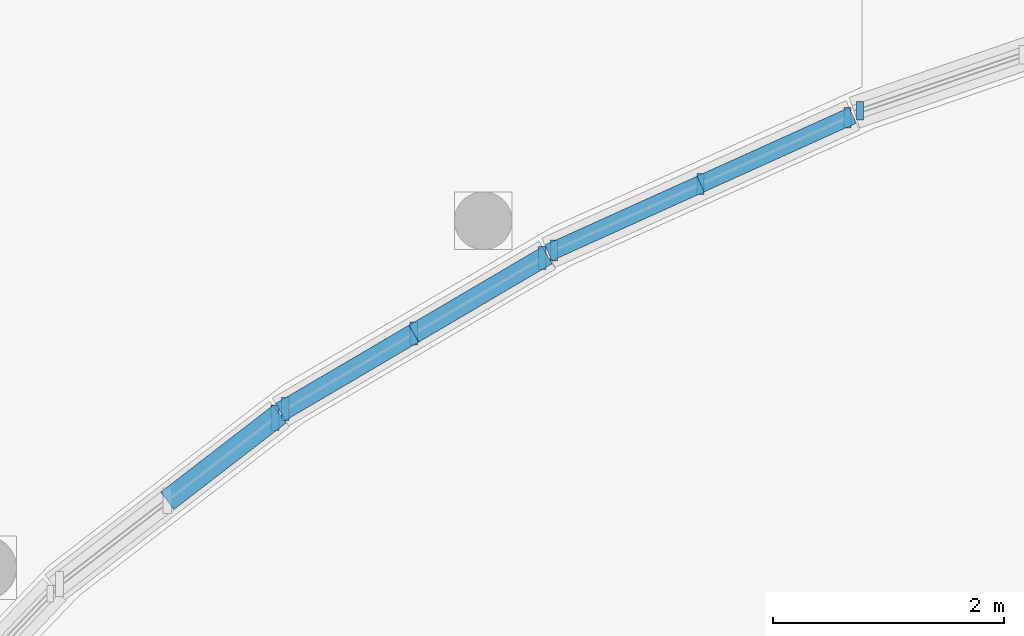
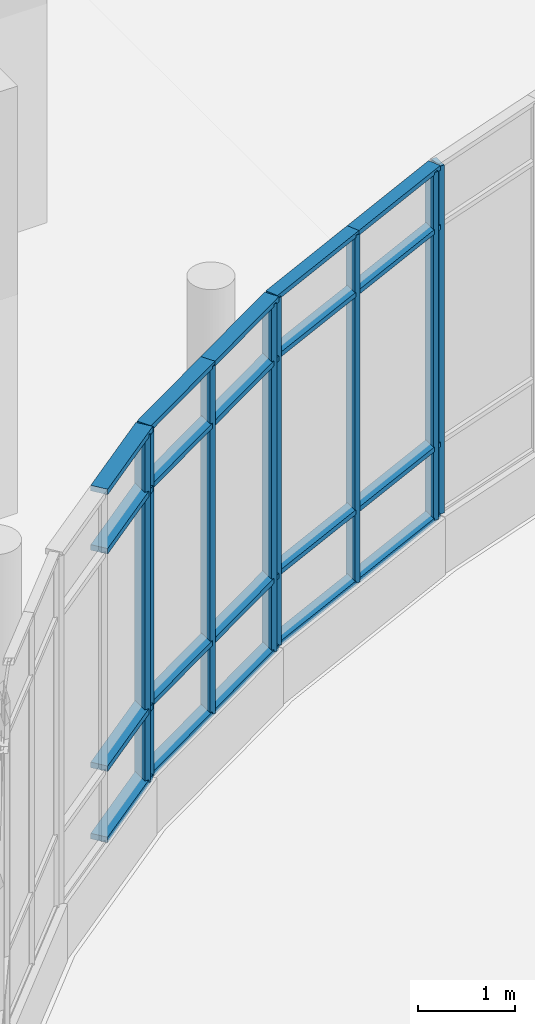
# One storey, part 20 of 84: 28 members, 4 elements without a shape of their own.
"""IFC4 building model written with IfcOpenShell, lengths in metres."""

from ifc_helpers import new_model, si_unit, direction, frame, origin, origin_2d, place, context, subcontext, project, spatial, rectangle, extrude, material, material_profile, profile_set, type_object, element, aggregate, save


model = new_model("IFC4")

# Units and contexts
model_context = context("Model", 3, precision=1e-05, world=origin(), true_north=direction((0.0, 1.0)))
body_context = subcontext(model_context, "Body", "Model", "MODEL_VIEW")
ifc_project = project(units=[si_unit("LENGTHUNIT", "METRE"), si_unit("AREAUNIT", "SQUARE_METRE"), si_unit("VOLUMEUNIT", "CUBIC_METRE"), si_unit("PLANEANGLEUNIT", "RADIAN"), si_unit("MASSUNIT", "GRAM", prefix="KILO")], contexts=[model_context])

# Site, building, storey
site_placement = place(None, origin())
site = spatial("IfcSite", under=ifc_project, at=site_placement, CompositionType="ELEMENT")
building_placement = place(site_placement, origin())
building = spatial("IfcBuilding", under=site, at=building_placement, Name="Mzevani Central Library", CompositionType="ELEMENT")
storey_placement = place(building_placement, origin())
storey = spatial("IfcBuildingStorey", under=building, at=storey_placement, Name="L00", CompositionType="ELEMENT", Elevation=0.0)

# Curtain wall, member
ifc_material_1 = material(Name="Thermally broken aluminium and Low-E triple glazing", Category="aluminium")
curtain_wall_type_1 = type_object("IfcCurtainWallType", Name="Elliptical Court Unitised Curtain Wall", PredefinedType="NOTDEFINED", material=ifc_material_1)
curtain_wall_1_placement = place(storey_placement, origin())
curtain_wall_1 = element("IfcCurtainWall", 1, at=curtain_wall_1_placement, inside=storey, type_object=curtain_wall_type_1, Name="L00 Elliptical Court Curtain Wall 17", PredefinedType="NOTDEFINED")
ifc_material_2 = material(Name="Thermally broken aluminium AW-6060", Category="aluminium")
ifc_material_profile_1 = material_profile(ifc_material_2, rectangle(XDim=0.06005859375, YDim=0.159912109375, at=origin_2d()), Name="ALU M60x160")
ifc_profile_set_1 = profile_set([ifc_material_profile_1], Name="Thermally broken aluminium AW-6060")
member_type_1 = type_object("IfcMemberType", Name="CW Mullion 60x160", PredefinedType="MULLION", material=ifc_profile_set_1)
member_1_placement = place(storey_placement, frame((67.558349609375, 87.108642578125, 0.719970703125), z_axis=(0.0, 0.0, 1.0), x_axis=(1.0, 0.0, 0.0)))
member_1 = element("IfcMember", 2, at=member_1_placement, type_object=member_type_1, Name="L00 Elliptical Court Curtain Wall 17 Mullion 3", PredefinedType="MULLION", context=body_context, shape_type="SweptSolid", body=[
    extrude(rectangle(XDim=0.06005859375, YDim=0.159912109375, at=origin_2d()), origin(), (0.0, 0.0, 1.0), 4.400146484375),
])
aggregate(curtain_wall_1, [member_1])

# Curtain wall, members
curtain_wall_2_placement = place(storey_placement, origin())
curtain_wall_2 = element("IfcCurtainWall", 3, at=curtain_wall_2_placement, inside=storey, type_object=curtain_wall_type_1, Name="L00 Elliptical Court Curtain Wall 18", PredefinedType="NOTDEFINED")
ifc_material_profile_2 = material_profile(ifc_material_2, rectangle(XDim=0.06005859375, YDim=0.179931640625, at=origin_2d()), Name="ALU M60x180")
ifc_profile_set_2 = profile_set([ifc_material_profile_2], Name="Thermally broken aluminium AW-6060")
member_type_2 = type_object("IfcMemberType", Name="CW Mullion 60x180", PredefinedType="MULLION", material=ifc_profile_set_2)
member_2_placement = place(storey_placement, frame((67.449951171875, 87.048828125, 0.719970703125), z_axis=(0.0, 0.0, 1.0), x_axis=(1.0, 0.0, 0.0)))
member_2 = element("IfcMember", 4, at=member_2_placement, type_object=member_type_2, Name="L00 Elliptical Court Curtain Wall 18 Mullion 1", PredefinedType="MULLION", context=body_context, shape_type="SweptSolid", body=[
    extrude(rectangle(XDim=0.06005859375, YDim=0.179931640625, at=origin_2d()), origin(), (0.0, 0.0, 1.0), 4.400146484375),
])
member_3_placement = place(storey_placement, frame((66.177734375, 86.473876953125, 0.719970703125), z_axis=(0.0, 0.0, 1.0), x_axis=(1.0, 0.0, 0.0)))
member_3 = element("IfcMember", 5, at=member_3_placement, type_object=member_type_2, Name="L00 Elliptical Court Curtain Wall 18 Mullion 2", PredefinedType="MULLION", context=body_context, shape_type="SweptSolid", body=[
    extrude(rectangle(XDim=0.06005859375, YDim=0.179931640625, at=origin_2d()), origin(), (0.0, 0.0, 1.0), 4.400146484375),
])
member_4_placement = place(storey_placement, frame((64.905517578125, 85.898681640625, 0.719970703125), z_axis=(0.0, 0.0, 1.0), x_axis=(1.0, 0.0, 0.0)))
member_4 = element("IfcMember", 6, at=member_4_placement, type_object=member_type_2, Name="L00 Elliptical Court Curtain Wall 18 Mullion 3", PredefinedType="MULLION", context=body_context, shape_type="SweptSolid", body=[
    extrude(rectangle(XDim=0.06005859375, YDim=0.179931640625, at=origin_2d()), origin(), (0.0, 0.0, 1.0), 4.400146484375),
])

curtain_wall_type_2 = type_object("IfcCurtainWallType", Name="Reading Hall Northlight Curtain Wall", PredefinedType="NOTDEFINED", material=ifc_material_1)
curtain_wall_3_placement = place(storey_placement, origin())
curtain_wall_3 = element("IfcCurtainWall", 7, at=curtain_wall_3_placement, inside=storey, type_object=curtain_wall_type_2, Name="L00 Elliptical Court Curtain Wall 19", PredefinedType="NOTDEFINED")
ifc_material_profile_3 = material_profile(ifc_material_2, rectangle(XDim=0.06494140625, YDim=0.199951171875, at=origin_2d()), Name="ALU M65x200")
ifc_profile_set_3 = profile_set([ifc_material_profile_3], Name="Thermally broken aluminium AW-6060")
member_type_3 = type_object("IfcMemberType", Name="CW Mullion 65x200", PredefinedType="MULLION", material=ifc_profile_set_3)
member_5_placement = place(storey_placement, frame((64.805908203125, 85.83203125, 0.719970703125), z_axis=(0.0, 0.0, 1.0), x_axis=(1.0, 0.0, 0.0)))
member_5 = element("IfcMember", 8, at=member_5_placement, type_object=member_type_3, Name="L00 Elliptical Court Curtain Wall 19 Mullion 1", PredefinedType="MULLION", context=body_context, shape_type="SweptSolid", body=[
    extrude(rectangle(XDim=0.06494140625, YDim=0.199951171875, at=origin_2d()), origin(), (0.0, 0.0, 1.0), 4.400146484375),
])
member_6_placement = place(storey_placement, frame((63.693359375, 85.17822265625, 0.719970703125), z_axis=(0.0, 0.0, 1.0), x_axis=(1.0, 0.0, 0.0)))
member_6 = element("IfcMember", 9, at=member_6_placement, type_object=member_type_3, Name="L00 Elliptical Court Curtain Wall 19 Mullion 2", PredefinedType="MULLION", context=body_context, shape_type="SweptSolid", body=[
    extrude(rectangle(XDim=0.06494140625, YDim=0.199951171875, at=origin_2d()), origin(), (0.0, 0.0, 1.0), 4.400146484375),
])
member_7_placement = place(storey_placement, frame((62.580810546875, 84.5244140625, 0.719970703125), z_axis=(0.0, 0.0, 1.0), x_axis=(1.0, 0.0, 0.0)))
member_7 = element("IfcMember", 10, at=member_7_placement, type_object=member_type_3, Name="L00 Elliptical Court Curtain Wall 19 Mullion 3", PredefinedType="MULLION", context=body_context, shape_type="SweptSolid", body=[
    extrude(rectangle(XDim=0.06494140625, YDim=0.199951171875, at=origin_2d()), origin(), (0.0, 0.0, 1.0), 4.400146484375),
])

# Curtain wall, member
curtain_wall_4_placement = place(storey_placement, origin())
curtain_wall_4 = element("IfcCurtainWall", 11, at=curtain_wall_4_placement, inside=storey, type_object=curtain_wall_type_1, Name="L00 Elliptical Court Curtain Wall 20", PredefinedType="NOTDEFINED")
ifc_material_profile_4 = material_profile(ifc_material_2, rectangle(XDim=0.070068359375, YDim=0.219970703125, at=origin_2d()), Name="ALU M70x220")
ifc_profile_set_4 = profile_set([ifc_material_profile_4], Name="Thermally broken aluminium AW-6060")
member_type_4 = type_object("IfcMemberType", Name="CW Mullion 70x220", PredefinedType="MULLION", material=ifc_profile_set_4)
member_8_placement = place(storey_placement, frame((62.490478515625, 84.449462890625, 0.719970703125), z_axis=(0.0, 0.0, 1.0), x_axis=(1.0, 0.0, 0.0)))
member_8 = element("IfcMember", 12, at=member_8_placement, type_object=member_type_4, Name="L00 Elliptical Court Curtain Wall 20 Mullion 1", PredefinedType="MULLION", context=body_context, shape_type="SweptSolid", body=[
    extrude(rectangle(XDim=0.070068359375, YDim=0.219970703125, at=origin_2d()), origin(), (0.0, 0.0, 1.0), 4.400146484375),
])

# Member
ifc_material_profile_5 = material_profile(ifc_material_2, rectangle(XDim=0.14990234375, YDim=0.06005859375, at=origin_2d()), Name="ALU T60x150")
ifc_profile_set_5 = profile_set([ifc_material_profile_5], Name="Thermally broken aluminium AW-6060")
member_type_5 = type_object("IfcMemberType", Name="CW Transom 60x150", PredefinedType="USERDEFINED", material=ifc_profile_set_5)
member_9_placement = place(storey_placement, frame((67.49560546875, 87.069580078125, 0.719970703125), z_axis=(-0.911231648639, -0.411894261333, 0.0), x_axis=(0.411894261333, -0.911231648639, 0.0)))
member_9 = element("IfcMember", 13, at=member_9_placement, type_object=member_type_5, Name="L00 Elliptical Court Curtain Wall 18 Transom 1", ObjectType="TRANSOM", PredefinedType="USERDEFINED", context=body_context, shape_type="SweptSolid", body=[
    extrude(rectangle(XDim=0.14990234375, YDim=0.06005859375, at=origin_2d()), origin(), (0.0, 0.0, 1.0), 1.4462890625),
])

member_10_placement = place(storey_placement, frame((67.49560546875, 87.069580078125, 1.6201171875), z_axis=(-0.911231648639, -0.411894261333, 0.0), x_axis=(0.411894261333, -0.911231648639, 0.0)))
member_10 = element("IfcMember", 14, at=member_10_placement, type_object=member_type_5, Name="L00 Elliptical Court Curtain Wall 18 Transom 2", ObjectType="TRANSOM", PredefinedType="USERDEFINED", context=body_context, shape_type="SweptSolid", body=[
    extrude(rectangle(XDim=0.14990234375, YDim=0.06005859375, at=origin_2d()), origin(), (0.0, 0.0, 1.0), 1.4462890625),
])

member_11_placement = place(storey_placement, frame((67.49560546875, 87.069580078125, 4.3701171875), z_axis=(-0.911231648639, -0.411894261333, 0.0), x_axis=(0.411894261333, -0.911231648639, 0.0)))
member_11 = element("IfcMember", 15, at=member_11_placement, type_object=member_type_5, Name="L00 Elliptical Court Curtain Wall 18 Transom 3", ObjectType="TRANSOM", PredefinedType="USERDEFINED", context=body_context, shape_type="SweptSolid", body=[
    extrude(rectangle(XDim=0.14990234375, YDim=0.06005859375, at=origin_2d()), origin(), (0.0, 0.0, 1.0), 1.4462890625),
])

member_12_placement = place(storey_placement, frame((67.49560546875, 87.069580078125, 5.1201171875), z_axis=(-0.911231648639, -0.411894261333, 0.0), x_axis=(0.411894261333, -0.911231648639, 0.0)))
member_12 = element("IfcMember", 16, at=member_12_placement, type_object=member_type_5, Name="L00 Elliptical Court Curtain Wall 18 Transom 4", ObjectType="TRANSOM", PredefinedType="USERDEFINED", context=body_context, shape_type="SweptSolid", body=[
    extrude(rectangle(XDim=0.14990234375, YDim=0.06005859375, at=origin_2d()), origin(), (0.0, 0.0, 1.0), 1.4462890625),
])

member_13_placement = place(storey_placement, frame((66.177734375, 86.473876953125, 0.719970703125), z_axis=(-0.911231648639, -0.411894261333, 0.0), x_axis=(0.411894261333, -0.911231648639, 0.0)))
member_13 = element("IfcMember", 17, at=member_13_placement, type_object=member_type_5, Name="L00 Elliptical Court Curtain Wall 18 Transom 5", ObjectType="TRANSOM", PredefinedType="USERDEFINED", context=body_context, shape_type="SweptSolid", body=[
    extrude(rectangle(XDim=0.14990234375, YDim=0.06005859375, at=origin_2d()), origin(), (0.0, 0.0, 1.0), 1.4462890625),
])

member_14_placement = place(storey_placement, frame((66.177734375, 86.473876953125, 1.6201171875), z_axis=(-0.911231648639, -0.411894261333, 0.0), x_axis=(0.411894261333, -0.911231648639, 0.0)))
member_14 = element("IfcMember", 18, at=member_14_placement, type_object=member_type_5, Name="L00 Elliptical Court Curtain Wall 18 Transom 6", ObjectType="TRANSOM", PredefinedType="USERDEFINED", context=body_context, shape_type="SweptSolid", body=[
    extrude(rectangle(XDim=0.14990234375, YDim=0.06005859375, at=origin_2d()), origin(), (0.0, 0.0, 1.0), 1.4462890625),
])

member_15_placement = place(storey_placement, frame((66.177734375, 86.473876953125, 4.3701171875), z_axis=(-0.911231648639, -0.411894261333, 0.0), x_axis=(0.411894261333, -0.911231648639, 0.0)))
member_15 = element("IfcMember", 19, at=member_15_placement, type_object=member_type_5, Name="L00 Elliptical Court Curtain Wall 18 Transom 7", ObjectType="TRANSOM", PredefinedType="USERDEFINED", context=body_context, shape_type="SweptSolid", body=[
    extrude(rectangle(XDim=0.14990234375, YDim=0.06005859375, at=origin_2d()), origin(), (0.0, 0.0, 1.0), 1.4462890625),
])

member_16_placement = place(storey_placement, frame((66.177734375, 86.473876953125, 5.1201171875), z_axis=(-0.911231648639, -0.411894261333, 0.0), x_axis=(0.411894261333, -0.911231648639, 0.0)))
member_16 = element("IfcMember", 20, at=member_16_placement, type_object=member_type_5, Name="L00 Elliptical Court Curtain Wall 18 Transom 8", ObjectType="TRANSOM", PredefinedType="USERDEFINED", context=body_context, shape_type="SweptSolid", body=[
    extrude(rectangle(XDim=0.14990234375, YDim=0.06005859375, at=origin_2d()), origin(), (0.0, 0.0, 1.0), 1.4462890625),
])

aggregate(curtain_wall_2, [member_2, member_3, member_4, member_9, member_10, member_11, member_12, member_13, member_14, member_15, member_16])

ifc_material_profile_6 = material_profile(ifc_material_2, rectangle(XDim=0.169921875, YDim=0.06494140625, at=origin_2d()), Name="ALU T65x170")
ifc_profile_set_6 = profile_set([ifc_material_profile_6], Name="Thermally broken aluminium AW-6060")
member_type_6 = type_object("IfcMemberType", Name="CW Transom 65x170", PredefinedType="USERDEFINED", material=ifc_profile_set_6)
member_17_placement = place(storey_placement, frame((64.84912109375, 85.857421875, 0.719970703125), z_axis=(-0.862149496171, -0.506653970923, 0.0), x_axis=(0.506653970923, -0.862149496171, 0.0)))
member_17 = element("IfcMember", 21, at=member_17_placement, type_object=member_type_6, Name="L00 Elliptical Court Curtain Wall 19 Transom 1", ObjectType="TRANSOM", PredefinedType="USERDEFINED", context=body_context, shape_type="SweptSolid", body=[
    extrude(rectangle(XDim=0.169921875, YDim=0.06494140625, at=origin_2d()), origin(), (0.0, 0.0, 1.0), 1.340576171875),
])

member_18_placement = place(storey_placement, frame((64.84912109375, 85.857421875, 1.6201171875), z_axis=(-0.862149496171, -0.506653970923, 0.0), x_axis=(0.506653970923, -0.862149496171, 0.0)))
member_18 = element("IfcMember", 22, at=member_18_placement, type_object=member_type_6, Name="L00 Elliptical Court Curtain Wall 19 Transom 2", ObjectType="TRANSOM", PredefinedType="USERDEFINED", context=body_context, shape_type="SweptSolid", body=[
    extrude(rectangle(XDim=0.169921875, YDim=0.06494140625, at=origin_2d()), origin(), (0.0, 0.0, 1.0), 1.340576171875),
])

member_19_placement = place(storey_placement, frame((64.84912109375, 85.857421875, 4.3701171875), z_axis=(-0.862149496171, -0.506653970923, 0.0), x_axis=(0.506653970923, -0.862149496171, 0.0)))
member_19 = element("IfcMember", 23, at=member_19_placement, type_object=member_type_6, Name="L00 Elliptical Court Curtain Wall 19 Transom 3", ObjectType="TRANSOM", PredefinedType="USERDEFINED", context=body_context, shape_type="SweptSolid", body=[
    extrude(rectangle(XDim=0.169921875, YDim=0.06494140625, at=origin_2d()), origin(), (0.0, 0.0, 1.0), 1.340576171875),
])

member_20_placement = place(storey_placement, frame((64.84912109375, 85.857421875, 5.1201171875), z_axis=(-0.862149496171, -0.506653970923, 0.0), x_axis=(0.506653970923, -0.862149496171, 0.0)))
member_20 = element("IfcMember", 24, at=member_20_placement, type_object=member_type_6, Name="L00 Elliptical Court Curtain Wall 19 Transom 4", ObjectType="TRANSOM", PredefinedType="USERDEFINED", context=body_context, shape_type="SweptSolid", body=[
    extrude(rectangle(XDim=0.169921875, YDim=0.06494140625, at=origin_2d()), origin(), (0.0, 0.0, 1.0), 1.340576171875),
])

member_21_placement = place(storey_placement, frame((63.693359375, 85.17822265625, 0.719970703125), z_axis=(-0.862149496171, -0.506653970923, 0.0), x_axis=(0.506653970923, -0.862149496171, 0.0)))
member_21 = element("IfcMember", 25, at=member_21_placement, type_object=member_type_6, Name="L00 Elliptical Court Curtain Wall 19 Transom 5", ObjectType="TRANSOM", PredefinedType="USERDEFINED", context=body_context, shape_type="SweptSolid", body=[
    extrude(rectangle(XDim=0.169921875, YDim=0.06494140625, at=origin_2d()), origin(), (0.0, 0.0, 1.0), 1.340576171875),
])

member_22_placement = place(storey_placement, frame((63.693359375, 85.17822265625, 1.6201171875), z_axis=(-0.862149496171, -0.506653970923, 0.0), x_axis=(0.506653970923, -0.862149496171, 0.0)))
member_22 = element("IfcMember", 26, at=member_22_placement, type_object=member_type_6, Name="L00 Elliptical Court Curtain Wall 19 Transom 6", ObjectType="TRANSOM", PredefinedType="USERDEFINED", context=body_context, shape_type="SweptSolid", body=[
    extrude(rectangle(XDim=0.169921875, YDim=0.06494140625, at=origin_2d()), origin(), (0.0, 0.0, 1.0), 1.340576171875),
])

member_23_placement = place(storey_placement, frame((63.693359375, 85.17822265625, 4.3701171875), z_axis=(-0.862149496171, -0.506653970923, 0.0), x_axis=(0.506653970923, -0.862149496171, 0.0)))
member_23 = element("IfcMember", 27, at=member_23_placement, type_object=member_type_6, Name="L00 Elliptical Court Curtain Wall 19 Transom 7", ObjectType="TRANSOM", PredefinedType="USERDEFINED", context=body_context, shape_type="SweptSolid", body=[
    extrude(rectangle(XDim=0.169921875, YDim=0.06494140625, at=origin_2d()), origin(), (0.0, 0.0, 1.0), 1.340576171875),
])

member_24_placement = place(storey_placement, frame((63.693359375, 85.17822265625, 5.1201171875), z_axis=(-0.862149496171, -0.506653970923, 0.0), x_axis=(0.506653970923, -0.862149496171, 0.0)))
member_24 = element("IfcMember", 28, at=member_24_placement, type_object=member_type_6, Name="L00 Elliptical Court Curtain Wall 19 Transom 8", ObjectType="TRANSOM", PredefinedType="USERDEFINED", context=body_context, shape_type="SweptSolid", body=[
    extrude(rectangle(XDim=0.169921875, YDim=0.06494140625, at=origin_2d()), origin(), (0.0, 0.0, 1.0), 1.340576171875),
])

aggregate(curtain_wall_3, [member_5, member_6, member_7, member_17, member_18, member_19, member_20, member_21, member_22, member_23, member_24])

ifc_material_profile_7 = material_profile(ifc_material_2, rectangle(XDim=0.18994140625, YDim=0.070068359375, at=origin_2d()), Name="ALU T70x190")
ifc_profile_set_7 = profile_set([ifc_material_profile_7], Name="Thermally broken aluminium AW-6060")
member_type_7 = type_object("IfcMemberType", Name="CW Transom 70x190", PredefinedType="USERDEFINED", material=ifc_profile_set_7)
member_25_placement = place(storey_placement, frame((62.530029296875, 84.47998046875, 0.719970703125), z_axis=(-0.791826150421, -0.610746549322, 0.0), x_axis=(0.610746549322, -0.791826150421, 0.0)))
member_25 = element("IfcMember", 29, at=member_25_placement, type_object=member_type_7, Name="L00 Elliptical Court Curtain Wall 20 Transom 1", ObjectType="TRANSOM", PredefinedType="USERDEFINED", context=body_context, shape_type="SweptSolid", body=[
    extrude(rectangle(XDim=0.18994140625, YDim=0.070068359375, at=origin_2d()), origin(), (0.0, 0.0, 1.0), 1.2294921875),
])

member_26_placement = place(storey_placement, frame((62.530029296875, 84.47998046875, 1.6201171875), z_axis=(-0.791826150421, -0.610746549322, 0.0), x_axis=(0.610746549322, -0.791826150421, 0.0)))
member_26 = element("IfcMember", 30, at=member_26_placement, type_object=member_type_7, Name="L00 Elliptical Court Curtain Wall 20 Transom 2", ObjectType="TRANSOM", PredefinedType="USERDEFINED", context=body_context, shape_type="SweptSolid", body=[
    extrude(rectangle(XDim=0.18994140625, YDim=0.070068359375, at=origin_2d()), origin(), (0.0, 0.0, 1.0), 1.2294921875),
])

member_27_placement = place(storey_placement, frame((62.530029296875, 84.47998046875, 4.3701171875), z_axis=(-0.791826150421, -0.610746549322, 0.0), x_axis=(0.610746549322, -0.791826150421, 0.0)))
member_27 = element("IfcMember", 31, at=member_27_placement, type_object=member_type_7, Name="L00 Elliptical Court Curtain Wall 20 Transom 3", ObjectType="TRANSOM", PredefinedType="USERDEFINED", context=body_context, shape_type="SweptSolid", body=[
    extrude(rectangle(XDim=0.18994140625, YDim=0.070068359375, at=origin_2d()), origin(), (0.0, 0.0, 1.0), 1.2294921875),
])

member_28_placement = place(storey_placement, frame((62.530029296875, 84.47998046875, 5.1201171875), z_axis=(-0.791826150421, -0.610746549322, 0.0), x_axis=(0.610746549322, -0.791826150421, 0.0)))
member_28 = element("IfcMember", 32, at=member_28_placement, type_object=member_type_7, Name="L00 Elliptical Court Curtain Wall 20 Transom 4", ObjectType="TRANSOM", PredefinedType="USERDEFINED", context=body_context, shape_type="SweptSolid", body=[
    extrude(rectangle(XDim=0.18994140625, YDim=0.070068359375, at=origin_2d()), origin(), (0.0, 0.0, 1.0), 1.2294921875),
])

aggregate(curtain_wall_4, [member_8, member_25, member_26, member_27, member_28])

save(model, "model.ifc")
